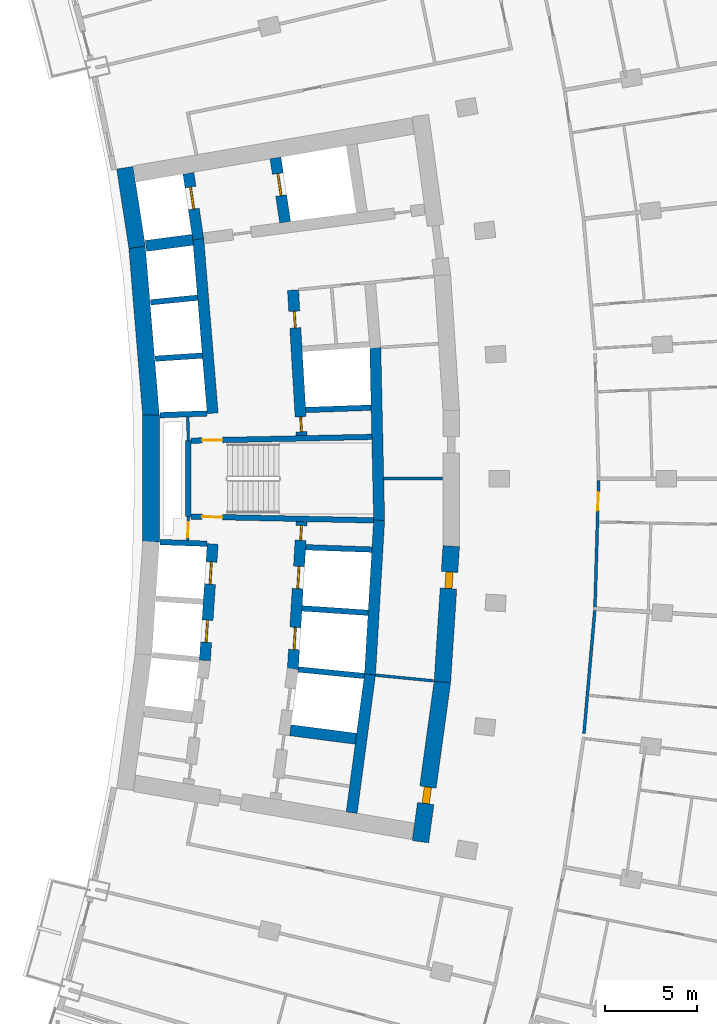
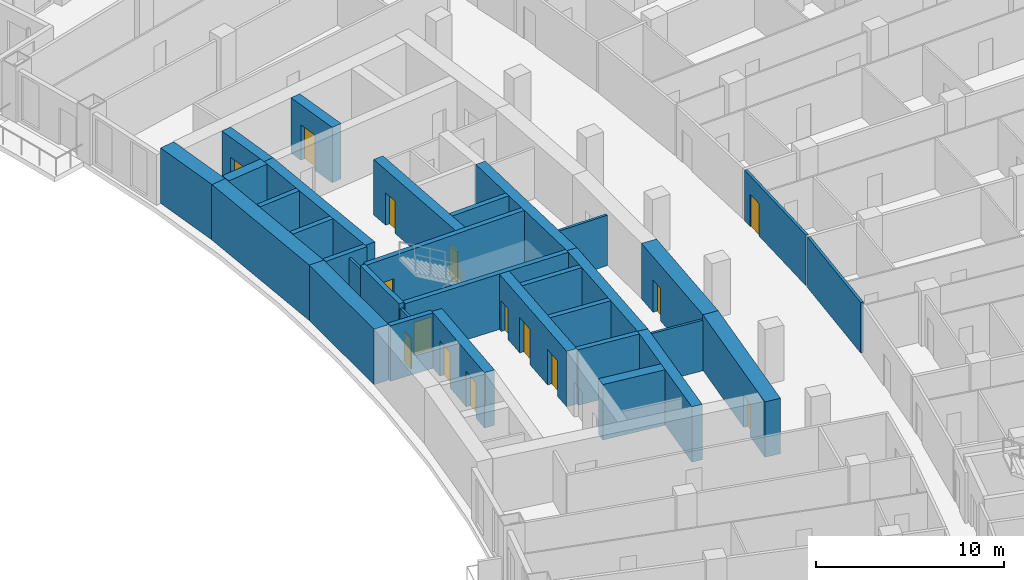
# One storey, part 16 of 25: 33 walls, 15 doors, 15 openings.
"""IFC4 building model written with IfcOpenShell, lengths in metres."""

from ifc_helpers import new_model, si_unit, direction, frame, frame_2d, origin, place, context, subcontext, project, spatial, rectangle, extrude, material, layer, layer_set, type_object, element, fill, save


model = new_model("IFC4")

# Units and contexts
model_context = context("Model", 3, precision=1e-05, world=origin(), true_north=direction((0.0, 1.0)))
body_context = subcontext(model_context, "Body", "Model", "MODEL_VIEW")
ifc_project = project(units=[si_unit("LENGTHUNIT", "METRE"), si_unit("AREAUNIT", "SQUARE_METRE"), si_unit("VOLUMEUNIT", "CUBIC_METRE"), si_unit("PLANEANGLEUNIT", "RADIAN"), si_unit("MASSUNIT", "GRAM", prefix="KILO")], contexts=[model_context])

# Site, building, storey
site_placement = place(None, origin())
site = spatial("IfcSite", under=ifc_project, at=site_placement, CompositionType="ELEMENT")
building_placement = place(site_placement, origin())
building = spatial("IfcBuilding", under=site, at=building_placement, Name="Alderwake Tower", CompositionType="ELEMENT")
storey_placement = place(building_placement, frame((0.0, 0.0, 46.39990234375)))
storey = spatial("IfcBuildingStorey", under=building, at=storey_placement, Name="L10", CompositionType="ELEMENT", Elevation=46.39990234375)

# Wall, opening, door
ifc_material_1 = material(Name="Gypsum shaft wall system, rated")
ifc_layer_1 = layer(ifc_material_1, 0.14990234375)
ifc_layer_set_1 = layer_set([ifc_layer_1], Name="Core room partition 150")
wall_type_1 = type_object("IfcWallType", Name="Core room partition 150", PredefinedType="PARTITIONING", material=ifc_layer_set_1)
wall_1_placement = place(storey_placement, frame((18.918701171875, 58.94384765625, 0.0), z_axis=(0.0, 0.0, 1.0), x_axis=(-0.027348257573, -0.999625966453, 0.0)))
wall_1 = element("IfcWall", 1, at=wall_1_placement, inside=storey, type_object=wall_type_1, Name="CW/L10/PA+24_-37", PredefinedType="PARTITIONING", context=body_context, shape_type="SweptSolid", body=[
    extrude(rectangle(XDim=1.29443359375, YDim=0.14990234375, at=frame_2d((0.647216796875, 0.0))), origin(), (0.0, 0.0, 1.0), 3.280029296875),
])
opening_1_placement = place(wall_1_placement, frame((0.322998046875, 0.0, 0.0)))
opening_1 = element("IfcOpeningElement", 2, at=opening_1_placement, cuts=wall_1, Name="Opening C004", PredefinedType="OPENING", context=body_context, shape_type="SweptSolid", body=[
    extrude(rectangle(XDim=0.800048828125, YDim=2.0, at=frame_2d((0.39990234375, 1.0))), frame((0.0, 0.0849609375, 0.0), z_axis=(0.0, -1.0, 0.0), x_axis=(1.0, 0.0, 0.0)), (0.0, 0.0, 1.0), 0.169921875),
])
ifc_material_2 = material(Name="Painted steel leaf, rated", Category="steel")
door_type_1 = type_object("IfcDoorType", Name="Riser access door 800", OperationType="SINGLE_SWING_LEFT", PredefinedType="DOOR", material=ifc_material_2)
door_1_placement = place(opening_1_placement, origin())
door_1 = element("IfcDoor", 3, at=door_1_placement, inside=storey, type_object=door_type_1, Name="Riser access door", OperationType="SINGLE_SWING_RIGHT", OverallHeight=2.0, OverallWidth=0.800048828125, PredefinedType="DOOR", context=body_context, shape_type="SweptSolid", body=[
    extrude(rectangle(XDim=0.800048828125, YDim=2.0, at=frame_2d((0.39990234375, 1.0))), frame((0.0, 0.02490234375, 0.0), z_axis=(0.0, -1.0, 0.0), x_axis=(1.0, 0.0, 0.0)), (0.0, 0.0, 1.0), 0.050048828125),
])
fill(opening_1, door_1)

# Walls
wall_2_placement = place(storey_placement, frame((18.918701171875, 63.05517578125, 0.0), z_axis=(0.0, 0.0, 1.0), x_axis=(-0.027327648352, 0.999626530078, 0.0)))
element("IfcWall", 4, at=wall_2_placement, inside=storey, type_object=wall_type_1, Name="CW/L10/PA+24_+22", PredefinedType="PARTITIONING", context=body_context, shape_type="SweptSolid", body=[
    extrude(rectangle(XDim=1.29541015625, YDim=0.14990234375, at=frame_2d((0.647705078125, 0.0))), origin(), (0.0, 0.0, 1.0), 3.280029296875),
])
wall_3_placement = place(storey_placement, frame((29.0791015625, 50.326416015625, 0.0), z_axis=(0.0, 0.0, 1.0), x_axis=(0.995249181795, -0.097360495766, 0.0)))
element("IfcWall", 5, at=wall_3_placement, inside=storey, type_object=wall_type_1, Name="CW/L10/PR-102_+128", PredefinedType="PARTITIONING", context=body_context, shape_type="SweptSolid", body=[
    extrude(rectangle(XDim=3.169677734375, YDim=0.14990234375, at=frame_2d((1.5849609375, 0.0))), origin(), (0.0, 0.0, 1.0), 3.280029296875),
])
wall_4_placement = place(storey_placement, frame((29.526123046875, 61.0, 0.0), z_axis=(0.0, 0.0, 1.0), x_axis=(1.0, 0.0, 0.0)))
element("IfcWall", 6, at=wall_4_placement, inside=storey, type_object=wall_type_1, Name="CW/L10/PR+0_+128", PredefinedType="PARTITIONING", context=body_context, shape_type="SweptSolid", body=[
    extrude(rectangle(XDim=3.18408203125, YDim=0.14990234375, at=frame_2d((1.592041015625, 0.0))), origin(), (0.0, 0.0, 1.0), 3.280029296875),
])
ifc_material_3 = material(Name="Concrete C70/85", Category="concrete")
ifc_layer_2 = layer(ifc_material_3, 0.89990234375)
ifc_layer_set_2 = layer_set([ifc_layer_2], Name="Core wall outer 900 C70-85")
wall_type_2 = type_object("IfcWallType", Name="Core wall outer 900 C70-85", PredefinedType="SHEAR", material=ifc_layer_set_2)
wall_5_placement = place(storey_placement, frame((16.889404296875, 57.5546875, 0.0), z_axis=(0.0, 0.0, 1.0), x_axis=(0.0, 1.0, 0.0)))
element("IfcWall", 7, at=wall_5_placement, inside=storey, type_object=wall_type_2, Name="Core wall CW.043", PredefinedType="SHEAR", context=body_context, shape_type="SweptSolid", body=[
    extrude(rectangle(XDim=6.89404296875, YDim=0.89990234375, at=frame_2d((3.447021484375, 0.0))), origin(), (0.0, 0.0, 1.0), 3.60009765625),
])
wall_6_placement = place(storey_placement, frame((16.890869140625, 64.41064453125, 0.0), z_axis=(0.0, 0.0, 1.0), x_axis=(-0.082624275373, 0.996580768989, 0.0)))
element("IfcWall", 8, at=wall_6_placement, inside=storey, type_object=wall_type_2, Name="Core wall CW.040", PredefinedType="SHEAR", context=body_context, shape_type="SweptSolid", body=[
    extrude(rectangle(XDim=9.210205078125, YDim=0.89990234375, at=frame_2d((4.60498046875, 0.0))), origin(), (0.0, 0.0, 1.0), 3.60009765625),
])
wall_7_placement = place(storey_placement, frame((16.1337890625, 73.557373046875, 0.0), z_axis=(0.0, 0.0, 1.0), x_axis=(-0.151956504286, 0.988387181627, 0.0)))
element("IfcWall", 9, at=wall_7_placement, inside=storey, type_object=wall_type_2, Name="Core wall CW.039", PredefinedType="SHEAR", context=body_context, shape_type="SweptSolid", body=[
    extrude(rectangle(XDim=4.373291015625, YDim=0.89990234375, at=frame_2d((2.1865234375, 0.0))), origin(), (0.0, 0.0, 1.0), 3.60009765625),
])

# Wall, opening, door
wall_8_placement = place(storey_placement, frame((32.7138671875, 49.9873046875, 0.0), z_axis=(0.0, 0.0, 1.0), x_axis=(-0.135844728876, -0.990730139663, 0.0)))
wall_8 = element("IfcWall", 10, at=wall_8_placement, inside=storey, type_object=wall_type_2, Name="Core wall CW.012", PredefinedType="SHEAR", context=body_context, shape_type="SweptSolid", body=[
    extrude(rectangle(XDim=8.78662109375, YDim=0.89990234375, at=frame_2d((4.393310546875, 0.0))), origin(), (0.0, 0.0, 1.0), 3.60009765625),
])
opening_2_placement = place(wall_8_placement, frame((5.79248046875, 0.0, 0.0)))
opening_2 = element("IfcOpeningElement", 11, at=opening_2_placement, cuts=wall_8, Name="Opening C060", PredefinedType="OPENING", context=body_context, shape_type="SweptSolid", body=[
    extrude(rectangle(XDim=0.89990234375, YDim=2.10009765625, at=frame_2d((0.449951171875, 1.050048828125))), frame((0.0, 0.4599609375, 0.0), z_axis=(0.0, -1.0, 0.0), x_axis=(1.0, 0.0, 0.0)), (0.0, 0.0, 1.0), 0.919921875),
])
ifc_material_4 = material(Name="Painted steel leaf", Category="steel")
door_type_2 = type_object("IfcDoorType", Name="Core room door 900", OperationType="SINGLE_SWING_LEFT", PredefinedType="DOOR", material=ifc_material_4)
door_2_placement = place(opening_2_placement, origin())
door_2 = element("IfcDoor", 12, at=door_2_placement, inside=storey, type_object=door_type_2, Name="Room door", OperationType="SINGLE_SWING_LEFT", OverallHeight=2.10009765625, OverallWidth=0.89990234375, PredefinedType="DOOR", context=body_context, shape_type="SweptSolid", body=[
    extrude(rectangle(XDim=0.89990234375, YDim=2.10009765625, at=frame_2d((0.449951171875, 1.050048828125))), frame((0.0, 0.199951171875, 0.0), z_axis=(0.0, -1.0, 0.0), x_axis=(1.0, 0.0, 0.0)), (0.0, 0.0, 1.0), 0.39990234375),
])
fill(opening_2, door_2)

wall_9_placement = place(storey_placement, frame((33.191162109375, 57.33349609375, 0.0), z_axis=(0.0, 0.0, 1.0), x_axis=(-0.064976219143, -0.997886812693, 0.0)))
wall_9 = element("IfcWall", 13, at=wall_9_placement, inside=storey, type_object=wall_type_2, Name="Core wall CW.011", PredefinedType="SHEAR", context=body_context, shape_type="SweptSolid", body=[
    extrude(rectangle(XDim=7.39453125, YDim=0.89990234375, at=frame_2d((3.697265625, 0.0))), origin(), (0.0, 0.0, 1.0), 3.60009765625),
])
opening_3_placement = place(wall_9_placement, frame((1.405517578125, 0.0, 0.0)))
opening_3 = element("IfcOpeningElement", 14, at=opening_3_placement, cuts=wall_9, Name="Opening C025", PredefinedType="OPENING", context=body_context, shape_type="SweptSolid", body=[
    extrude(rectangle(XDim=0.89990234375, YDim=2.10009765625, at=frame_2d((0.449951171875, 1.050048828125))), frame((0.0, 0.4599609375, 0.0), z_axis=(0.0, -1.0, 0.0), x_axis=(1.0, 0.0, 0.0)), (0.0, 0.0, 1.0), 0.919921875),
])
door_3_placement = place(opening_3_placement, origin())
door_3 = element("IfcDoor", 15, at=door_3_placement, inside=storey, type_object=door_type_2, Name="Room door", OperationType="SINGLE_SWING_RIGHT", OverallHeight=2.10009765625, OverallWidth=0.89990234375, PredefinedType="DOOR", context=body_context, shape_type="SweptSolid", body=[
    extrude(rectangle(XDim=0.89990234375, YDim=2.10009765625, at=frame_2d((0.449951171875, 1.050048828125))), frame((0.0, 0.199951171875, 0.0), z_axis=(0.0, -1.0, 0.0), x_axis=(1.0, 0.0, 0.0)), (0.0, 0.0, 1.0), 0.39990234375),
])
fill(opening_3, door_3)

# Walls
ifc_material_5 = material(Name="Concrete C70/85", Category="concrete")
ifc_layer_3 = layer(ifc_material_5, 0.300048828125)
ifc_layer_set_3 = layer_set([ifc_layer_3], Name="Core wall shaft 300 C70-85")
wall_type_3 = type_object("IfcWallType", Name="Core wall shaft 300 C70-85", PredefinedType="SHEAR", material=ifc_layer_set_3)
wall_10_placement = place(storey_placement, frame((24.889404296875, 50.635009765625, 0.0), z_axis=(0.0, 0.0, 1.0), x_axis=(0.995156121494, -0.098307140396, 0.0)))
element("IfcWall", 16, at=wall_10_placement, inside=storey, type_object=wall_type_3, Name="Core wall CW.066", PredefinedType="SHEAR", context=body_context, shape_type="SweptSolid", body=[
    extrude(rectangle(XDim=3.595947265625, YDim=0.300048828125, at=frame_2d((1.7978515625, 0.0))), origin(), (0.0, 0.0, 1.0), 3.60009765625),
])
wall_11_placement = place(storey_placement, frame((25.090087890625, 53.954833984375, 0.0), z_axis=(0.0, 0.0, 1.0), x_axis=(0.997758045734, -0.066924451231, 0.0)))
element("IfcWall", 17, at=wall_11_placement, inside=storey, type_object=wall_type_3, Name="Core wall CW.080", PredefinedType="SHEAR", context=body_context, shape_type="SweptSolid", body=[
    extrude(rectangle(XDim=3.596923828125, YDim=0.300048828125, at=frame_2d((1.79833984375, 0.0))), origin(), (0.0, 0.0, 1.0), 3.60009765625),
])
wall_12_placement = place(storey_placement, frame((17.369140625, 57.553466796875, 0.0), z_axis=(0.0, 0.0, 1.0), x_axis=(0.99937189907, -0.035437372217, 0.0)))
element("IfcWall", 18, at=wall_12_placement, inside=storey, type_object=wall_type_3, Name="Core wall CW.076", PredefinedType="SHEAR", context=body_context, shape_type="SweptSolid", body=[
    extrude(rectangle(XDim=2.56982421875, YDim=0.300048828125, at=frame_2d((1.284912109375, 0.0))), origin(), (0.0, 0.0, 1.0), 3.60009765625),
])
wall_13_placement = place(storey_placement, frame((25.29052734375, 57.27294921875, 0.0), z_axis=(0.0, 0.0, 1.0), x_axis=(0.99937585491, -0.035325636908, 0.0)))
element("IfcWall", 19, at=wall_13_placement, inside=storey, type_object=wall_type_3, Name="Core wall CW.077", PredefinedType="SHEAR", context=body_context, shape_type="SweptSolid", body=[
    extrude(rectangle(XDim=3.59375, YDim=0.300048828125, at=frame_2d((1.796875, 0.0))), origin(), (0.0, 0.0, 1.0), 3.60009765625),
])
wall_14_placement = place(storey_placement, frame((17.369384765625, 64.446533203125, 0.0), z_axis=(0.0, 0.0, 1.0), x_axis=(0.999371660382, 0.035444102817, 0.0)))
element("IfcWall", 20, at=wall_14_placement, inside=storey, type_object=wall_type_3, Name="Core wall CW.059", PredefinedType="SHEAR", context=body_context, shape_type="SweptSolid", body=[
    extrude(rectangle(XDim=2.5693359375, YDim=0.300048828125, at=frame_2d((1.28466796875, 0.0))), origin(), (0.0, 0.0, 1.0), 3.60009765625),
])
wall_15_placement = place(storey_placement, frame((25.291259765625, 64.72705078125, 0.0), z_axis=(0.0, 0.0, 1.0), x_axis=(0.999373231824, 0.035399767136, 0.0)))
element("IfcWall", 21, at=wall_15_placement, inside=storey, type_object=wall_type_3, Name="Core wall CW.060", PredefinedType="SHEAR", context=body_context, shape_type="SweptSolid", body=[
    extrude(rectangle(XDim=3.5517578125, YDim=0.300048828125, at=frame_2d((1.77587890625, 0.0))), origin(), (0.0, 0.0, 1.0), 3.60009765625),
])
for number, where, z_axis, x_axis, name in (
    (22, (17.115478515625, 67.510498046875, 0.0), (0.0, 0.0, 1.0), (0.99775517309, 0.06696726493, 0.0), "Core wall CW.062"),
    (23, (16.86181640625, 70.571533203125, 0.0), (0.0, 0.0, 1.0), (0.995151424955, 0.098354671516, 0.0), "Core wall CW.050"),
):
    element("IfcWall", number, at=place(storey_placement, frame(where, z_axis=z_axis, x_axis=x_axis)), inside=storey, type_object=wall_type_3, Name=name, PredefinedType="SHEAR", context=body_context, shape_type="SweptSolid", body=[
        extrude(rectangle(XDim=2.566650390625, YDim=0.300048828125, at=frame_2d((1.283203125, 0.0))), origin(), (0.0, 0.0, 1.0), 3.60009765625),
    ])

# Wall, openings, doors
ifc_material_6 = material(Name="Concrete C70/85", Category="concrete")
ifc_layer_4 = layer(ifc_material_6, 0.60009765625)
ifc_layer_set_4 = layer_set([ifc_layer_4], Name="Core wall spine 600 C70-85")
wall_type_4 = type_object("IfcWallType", Name="Core wall spine 600 C70-85", PredefinedType="SHEAR", material=ifc_layer_set_4)
wall_16_placement = place(storey_placement, frame((19.813232421875, 51.12646484375, 0.0), z_axis=(0.0, 0.0, 1.0), x_axis=(0.066892179723, 0.997760209816, 0.0)))
wall_16 = element("IfcWall", 24, at=wall_16_placement, inside=storey, type_object=wall_type_4, Name="Core wall CW.032", PredefinedType="SHEAR", context=body_context, shape_type="SweptSolid", body=[
    extrude(rectangle(XDim=6.339599609375, YDim=0.60009765625, at=frame_2d((3.169921875, 0.0))), origin(), (0.0, 0.0, 1.0), 3.60009765625),
])
opening_4_placement = place(wall_16_placement, frame((0.992431640625, 0.0, 0.0)))
opening_4 = element("IfcOpeningElement", 25, at=opening_4_placement, cuts=wall_16, Name="Opening LD-LP2", PredefinedType="OPENING", context=body_context, shape_type="SweptSolid", body=[
    extrude(rectangle(XDim=1.199951171875, YDim=2.300048828125, at=frame_2d((0.60009765625, 1.14990234375))), frame((0.0, 0.31005859375, 0.0), z_axis=(0.0, -1.0, 0.0), x_axis=(1.0, 0.0, 0.0)), (0.0, 0.0, 1.0), 0.6201171875),
])
opening_5_placement = place(wall_16_placement, frame((4.157470703125, 0.0, 0.0)))
opening_5 = element("IfcOpeningElement", 26, at=opening_5_placement, cuts=wall_16, Name="Opening LD-LP3", PredefinedType="OPENING", context=body_context, shape_type="SweptSolid", body=[
    extrude(rectangle(XDim=1.199951171875, YDim=2.300048828125, at=frame_2d((0.60009765625, 1.14990234375))), frame((0.0, 0.31005859375, 0.0), z_axis=(0.0, -1.0, 0.0), x_axis=(1.0, 0.0, 0.0)), (0.0, 0.0, 1.0), 0.6201171875),
])
ifc_material_7 = material(Name="Stainless steel sliding leaf", Category="steel")
door_type_3 = type_object("IfcDoorType", Name="Lift landing door 1200", OperationType="SLIDING_TO_LEFT", PredefinedType="DOOR", material=ifc_material_7)
door_4_placement = place(opening_4_placement, origin())
door_4 = element("IfcDoor", 27, at=door_4_placement, inside=storey, type_object=door_type_3, Name="Lift landing door LP2", OperationType="SLIDING_TO_LEFT", OverallHeight=2.300048828125, OverallWidth=1.199951171875, PredefinedType="DOOR", context=body_context, shape_type="SweptSolid", body=[
    extrude(rectangle(XDim=1.199951171875, YDim=2.300048828125, at=frame_2d((0.60009765625, 1.14990234375))), frame((0.0, 0.050048828125, 0.0), z_axis=(0.0, -1.0, 0.0), x_axis=(1.0, 0.0, 0.0)), (0.0, 0.0, 1.0), 0.10009765625),
])
fill(opening_4, door_4)
door_5_placement = place(opening_5_placement, origin())
door_5 = element("IfcDoor", 28, at=door_5_placement, inside=storey, type_object=door_type_3, Name="Lift landing door LP3", OperationType="SLIDING_TO_LEFT", OverallHeight=2.300048828125, OverallWidth=1.199951171875, PredefinedType="DOOR", context=body_context, shape_type="SweptSolid", body=[
    extrude(rectangle(XDim=1.199951171875, YDim=2.300048828125, at=frame_2d((0.60009765625, 1.14990234375))), frame((0.0, 0.050048828125, 0.0), z_axis=(0.0, -1.0, 0.0), x_axis=(1.0, 0.0, 0.0)), (0.0, 0.0, 1.0), 0.10009765625),
])
fill(opening_5, door_5)

# Wall
wall_17_placement = place(storey_placement, frame((20.2373046875, 64.548095703125, 0.0), z_axis=(0.0, 0.0, 1.0), x_axis=(-0.082626598613, 0.996580576372, 0.0)))
element("IfcWall", 29, at=wall_17_placement, inside=storey, type_object=wall_type_4, Name="Core wall CW.031", PredefinedType="SHEAR", context=body_context, shape_type="SweptSolid", body=[
    extrude(rectangle(XDim=9.50244140625, YDim=0.60009765625, at=frame_2d((4.751220703125, 0.0))), origin(), (0.0, 0.0, 1.0), 3.60009765625),
])

# Wall, opening, door
wall_18_placement = place(storey_placement, frame((19.45458984375, 73.99755859375, 0.0), z_axis=(0.0, 0.0, 1.0), x_axis=(-0.147502312715, 0.989061710786, 0.0)))
wall_18 = element("IfcWall", 30, at=wall_18_placement, inside=storey, type_object=wall_type_4, Name="Core wall CW.030", PredefinedType="SHEAR", context=body_context, shape_type="SweptSolid", body=[
    extrude(rectangle(XDim=3.6181640625, YDim=0.60009765625, at=frame_2d((1.80908203125, 0.0))), origin(), (0.0, 0.0, 1.0), 3.60009765625),
])
opening_6_placement = place(wall_18_placement, frame((1.664306640625, 0.0, 0.0)))
opening_6 = element("IfcOpeningElement", 31, at=opening_6_placement, cuts=wall_18, Name="Opening LD-FF1", PredefinedType="OPENING", context=body_context, shape_type="SweptSolid", body=[
    extrude(rectangle(XDim=1.199951171875, YDim=2.300048828125, at=frame_2d((0.60009765625, 1.14990234375))), frame((0.0, 0.31005859375, 0.0), z_axis=(0.0, -1.0, 0.0), x_axis=(1.0, 0.0, 0.0)), (0.0, 0.0, 1.0), 0.6201171875),
])
door_6_placement = place(opening_6_placement, origin())
door_6 = element("IfcDoor", 32, at=door_6_placement, inside=storey, type_object=door_type_3, Name="Lift landing door FF1", OperationType="SLIDING_TO_LEFT", OverallHeight=2.300048828125, OverallWidth=1.199951171875, PredefinedType="DOOR", context=body_context, shape_type="SweptSolid", body=[
    extrude(rectangle(XDim=1.199951171875, YDim=2.300048828125, at=frame_2d((0.60009765625, 1.14990234375))), frame((0.0, 0.050048828125, 0.0), z_axis=(0.0, -1.0, 0.0), x_axis=(1.0, 0.0, 0.0)), (0.0, 0.0, 1.0), 0.10009765625),
])
fill(opening_6, door_6)

# Wall, openings, doors
wall_19_placement = place(storey_placement, frame((24.58984375, 50.6533203125, 0.0), z_axis=(0.0, 0.0, 1.0), x_axis=(0.060323309079, 0.998178890972, 0.0)))
wall_19 = element("IfcWall", 33, at=wall_19_placement, inside=storey, type_object=wall_type_4, Name="Core wall CW.046", PredefinedType="SHEAR", context=body_context, shape_type="SweptSolid", body=[
    extrude(rectangle(XDim=8.025634765625, YDim=0.60009765625, at=frame_2d((4.0126953125, 0.0))), origin(), (0.0, 0.0, 1.0), 3.60009765625),
])
opening_7_placement = place(wall_19_placement, frame((1.06884765625, 0.0, 0.0)))
opening_7 = element("IfcOpeningElement", 34, at=opening_7_placement, cuts=wall_19, Name="Opening LD-LP5", PredefinedType="OPENING", context=body_context, shape_type="SweptSolid", body=[
    extrude(rectangle(XDim=1.199951171875, YDim=2.300048828125, at=frame_2d((0.60009765625, 1.14990234375))), frame((0.0, 0.31005859375, 0.0), z_axis=(0.0, -1.0, 0.0), x_axis=(1.0, 0.0, 0.0)), (0.0, 0.0, 1.0), 0.6201171875),
])
opening_8_placement = place(wall_19_placement, frame((4.38525390625, 0.0, 0.0)))
opening_8 = element("IfcOpeningElement", 35, at=opening_8_placement, cuts=wall_19, Name="Opening LD-LP6", PredefinedType="OPENING", context=body_context, shape_type="SweptSolid", body=[
    extrude(rectangle(XDim=1.199951171875, YDim=2.300048828125, at=frame_2d((0.60009765625, 1.14990234375))), frame((0.0, 0.31005859375, 0.0), z_axis=(0.0, -1.0, 0.0), x_axis=(1.0, 0.0, 0.0)), (0.0, 0.0, 1.0), 0.6201171875),
])
opening_9_placement = place(wall_19_placement, frame((7.009521484375, 0.0, 0.0)))
opening_9 = element("IfcOpeningElement", 36, at=opening_9_placement, cuts=wall_19, Name="Opening C006", PredefinedType="OPENING", context=body_context, shape_type="SweptSolid", body=[
    extrude(rectangle(XDim=0.800048828125, YDim=2.0, at=frame_2d((0.39990234375, 1.0))), frame((0.0, 0.31005859375, 0.0), z_axis=(0.0, -1.0, 0.0), x_axis=(1.0, 0.0, 0.0)), (0.0, 0.0, 1.0), 0.6201171875),
])
door_7_placement = place(opening_7_placement, origin())
door_7 = element("IfcDoor", 37, at=door_7_placement, inside=storey, type_object=door_type_3, Name="Lift landing door LP5", OperationType="SLIDING_TO_LEFT", OverallHeight=2.300048828125, OverallWidth=1.199951171875, PredefinedType="DOOR", context=body_context, shape_type="SweptSolid", body=[
    extrude(rectangle(XDim=1.199951171875, YDim=2.300048828125, at=frame_2d((0.60009765625, 1.14990234375))), frame((0.0, 0.050048828125, 0.0), z_axis=(0.0, -1.0, 0.0), x_axis=(1.0, 0.0, 0.0)), (0.0, 0.0, 1.0), 0.10009765625),
])
fill(opening_7, door_7)
door_8_placement = place(opening_8_placement, origin())
door_8 = element("IfcDoor", 38, at=door_8_placement, inside=storey, type_object=door_type_3, Name="Lift landing door LP6", OperationType="SLIDING_TO_LEFT", OverallHeight=2.300048828125, OverallWidth=1.199951171875, PredefinedType="DOOR", context=body_context, shape_type="SweptSolid", body=[
    extrude(rectangle(XDim=1.199951171875, YDim=2.300048828125, at=frame_2d((0.60009765625, 1.14990234375))), frame((0.0, 0.050048828125, 0.0), z_axis=(0.0, -1.0, 0.0), x_axis=(1.0, 0.0, 0.0)), (0.0, 0.0, 1.0), 0.10009765625),
])
fill(opening_8, door_8)
door_9_placement = place(opening_9_placement, origin())
door_9 = element("IfcDoor", 39, at=door_9_placement, inside=storey, type_object=door_type_1, Name="Riser access door", OperationType="SINGLE_SWING_RIGHT", OverallHeight=2.0, OverallWidth=0.800048828125, PredefinedType="DOOR", context=body_context, shape_type="SweptSolid", body=[
    extrude(rectangle(XDim=0.800048828125, YDim=2.0, at=frame_2d((0.39990234375, 1.0))), frame((0.0, 0.050048828125, 0.0), z_axis=(0.0, -1.0, 0.0), x_axis=(1.0, 0.0, 0.0)), (0.0, 0.0, 1.0), 0.10009765625),
])
fill(opening_9, door_9)

wall_20_placement = place(storey_placement, frame((25.073974609375, 63.335693359375, 0.0), z_axis=(0.0, 0.0, 1.0), x_axis=(-0.059848641072, 0.998207463487, 0.0)))
wall_20 = element("IfcWall", 40, at=wall_20_placement, inside=storey, type_object=wall_type_4, Name="Core wall CW.045", PredefinedType="SHEAR", context=body_context, shape_type="SweptSolid", body=[
    extrude(rectangle(XDim=7.913818359375, YDim=0.60009765625, at=frame_2d((3.95703125, 0.0))), origin(), (0.0, 0.0, 1.0), 3.60009765625),
])
opening_10_placement = place(wall_20_placement, frame((0.216064453125, 0.0, 0.0)))
opening_10 = element("IfcOpeningElement", 41, at=opening_10_placement, cuts=wall_20, Name="Opening C005", PredefinedType="OPENING", context=body_context, shape_type="SweptSolid", body=[
    extrude(rectangle(XDim=0.800048828125, YDim=2.0, at=frame_2d((0.39990234375, 1.0))), frame((0.0, 0.31005859375, 0.0), z_axis=(0.0, -1.0, 0.0), x_axis=(1.0, 0.0, 0.0)), (0.0, 0.0, 1.0), 0.6201171875),
])
opening_11_placement = place(wall_20_placement, frame((5.856201171875, 0.0, 0.0)))
opening_11 = element("IfcOpeningElement", 42, at=opening_11_placement, cuts=wall_20, Name="Opening C024", PredefinedType="OPENING", context=body_context, shape_type="SweptSolid", body=[
    extrude(rectangle(XDim=0.89990234375, YDim=2.10009765625, at=frame_2d((0.449951171875, 1.050048828125))), frame((0.0, 0.31005859375, 0.0), z_axis=(0.0, -1.0, 0.0), x_axis=(1.0, 0.0, 0.0)), (0.0, 0.0, 1.0), 0.6201171875),
])
door_10_placement = place(opening_11_placement, origin())
door_10 = element("IfcDoor", 43, at=door_10_placement, inside=storey, type_object=door_type_2, Name="Room door", OperationType="SINGLE_SWING_LEFT", OverallHeight=2.10009765625, OverallWidth=0.89990234375, PredefinedType="DOOR", context=body_context, shape_type="SweptSolid", body=[
    extrude(rectangle(XDim=0.89990234375, YDim=2.10009765625, at=frame_2d((0.449951171875, 1.050048828125))), frame((0.0, 0.050048828125, 0.0), z_axis=(0.0, -1.0, 0.0), x_axis=(1.0, 0.0, 0.0)), (0.0, 0.0, 1.0), 0.10009765625),
])
fill(opening_11, door_10)
door_11_placement = place(opening_10_placement, origin())
door_11 = element("IfcDoor", 44, at=door_11_placement, inside=storey, type_object=door_type_1, Name="Riser access door", OperationType="SINGLE_SWING_LEFT", OverallHeight=2.0, OverallWidth=0.800048828125, PredefinedType="DOOR", context=body_context, shape_type="SweptSolid", body=[
    extrude(rectangle(XDim=0.800048828125, YDim=2.0, at=frame_2d((0.39990234375, 1.0))), frame((0.0, 0.050048828125, 0.0), z_axis=(0.0, -1.0, 0.0), x_axis=(1.0, 0.0, 0.0)), (0.0, 0.0, 1.0), 0.10009765625),
])
fill(opening_10, door_11)

# Wall, opening, door
wall_21_placement = place(storey_placement, frame((24.173095703125, 74.927734375, 0.0), z_axis=(0.0, 0.0, 1.0), x_axis=(-0.14910953086, 0.988820685365, 0.0)))
wall_21 = element("IfcWall", 45, at=wall_21_placement, inside=storey, type_object=wall_type_4, Name="Core wall CW.044", PredefinedType="SHEAR", context=body_context, shape_type="SweptSolid", body=[
    extrude(rectangle(XDim=3.5234375, YDim=0.60009765625, at=frame_2d((1.76171875, 0.0))), origin(), (0.0, 0.0, 1.0), 3.60009765625),
])
opening_12_placement = place(wall_21_placement, frame((1.4619140625, 0.0, 0.0)))
opening_12 = element("IfcOpeningElement", 46, at=opening_12_placement, cuts=wall_21, Name="Opening LD-FF2", PredefinedType="OPENING", context=body_context, shape_type="SweptSolid", body=[
    extrude(rectangle(XDim=1.199951171875, YDim=2.300048828125, at=frame_2d((0.60009765625, 1.14990234375))), frame((0.0, 0.31005859375, 0.0), z_axis=(0.0, -1.0, 0.0), x_axis=(1.0, 0.0, 0.0)), (0.0, 0.0, 1.0), 0.6201171875),
])
door_12_placement = place(opening_12_placement, origin())
door_12 = element("IfcDoor", 47, at=door_12_placement, inside=storey, type_object=door_type_3, Name="Lift landing door FF2", OperationType="SLIDING_TO_LEFT", OverallHeight=2.300048828125, OverallWidth=1.199951171875, PredefinedType="DOOR", context=body_context, shape_type="SweptSolid", body=[
    extrude(rectangle(XDim=1.199951171875, YDim=2.300048828125, at=frame_2d((0.60009765625, 1.14990234375))), frame((0.0, 0.050048828125, 0.0), z_axis=(0.0, -1.0, 0.0), x_axis=(1.0, 0.0, 0.0)), (0.0, 0.0, 1.0), 0.10009765625),
])
fill(opening_12, door_12)

# Walls
wall_22_placement = place(storey_placement, frame((27.78369140625, 42.85693359375, 0.0), z_axis=(0.0, 0.0, 1.0), x_axis=(0.131768985664, 0.991280451949, 0.0)))
element("IfcWall", 48, at=wall_22_placement, inside=storey, type_object=wall_type_4, Name="Core wall CW.006", PredefinedType="SHEAR", context=body_context, shape_type="SweptSolid", body=[
    extrude(rectangle(XDim=7.576171875, YDim=0.60009765625, at=frame_2d((3.7880859375, 0.0))), origin(), (0.0, 0.0, 1.0), 3.60009765625),
])
wall_23_placement = place(storey_placement, frame((28.77978515625, 50.34423828125, 0.0), z_axis=(0.0, 0.0, 1.0), x_axis=(0.059133840665, 0.998250063305, 0.0)))
element("IfcWall", 49, at=wall_23_placement, inside=storey, type_object=wall_type_4, Name="Core wall CW.004", PredefinedType="SHEAR", context=body_context, shape_type="SweptSolid", body=[
    extrude(rectangle(XDim=8.409912109375, YDim=0.60009765625, at=frame_2d((4.205078125, 0.0))), origin(), (0.0, 0.0, 1.0), 3.60009765625),
])
wall_24_placement = place(storey_placement, frame((29.276611328125, 58.714111328125, 0.0), z_axis=(0.0, 0.0, 1.0), x_axis=(-0.022102514973, 0.999755709577, 0.0)))
element("IfcWall", 50, at=wall_24_placement, inside=storey, type_object=wall_type_4, Name="Core wall CW.007", PredefinedType="SHEAR", context=body_context, shape_type="SweptSolid", body=[
    extrude(rectangle(XDim=9.39990234375, YDim=0.60009765625, at=frame_2d((4.699951171875, 0.0))), origin(), (0.0, 0.0, 1.0), 3.60009765625),
])
wall_25_placement = place(storey_placement, frame((24.4501953125, 47.338623046875, 0.0), z_axis=(0.0, 0.0, 1.0), x_axis=(0.99155225032, -0.129707882892, 0.0)))
element("IfcWall", 51, at=wall_25_placement, inside=storey, type_object=wall_type_4, Name="Core wall CW.069", PredefinedType="SHEAR", context=body_context, shape_type="SweptSolid", body=[
    extrude(rectangle(XDim=3.594970703125, YDim=0.60009765625, at=frame_2d((1.79736328125, 0.0))), origin(), (0.0, 0.0, 1.0), 3.60009765625),
])
wall_26_placement = place(storey_placement, frame((16.607666015625, 73.635498046875, 0.0), z_axis=(0.0, 0.0, 1.0), x_axis=(0.991551057449, 0.129717001478, 0.0)))
element("IfcWall", 52, at=wall_26_placement, inside=storey, type_object=wall_type_4, Name="Core wall CW.051", PredefinedType="SHEAR", context=body_context, shape_type="SweptSolid", body=[
    extrude(rectangle(XDim=2.569091796875, YDim=0.60009765625, at=frame_2d((1.28466796875, 0.0))), origin(), (0.0, 0.0, 1.0), 3.60009765625),
])
ifc_material_8 = material(Name="Concrete C70/85", Category="concrete")
ifc_layer_5 = layer(ifc_material_8, 0.300048828125)
ifc_layer_set_5 = layer_set([ifc_layer_5], Name="Core wall stair enclosure 300 C70-85")
wall_type_5 = type_object("IfcWallType", Name="Core wall stair enclosure 300 C70-85", PredefinedType="SHEAR", material=ifc_layer_set_5)
wall_27_placement = place(storey_placement, frame((18.918701171875, 58.94091796875, 0.0), z_axis=(0.0, 0.0, 1.0), x_axis=(0.0, 1.0, 0.0)))
element("IfcWall", 53, at=wall_27_placement, inside=storey, type_object=wall_type_5, Name="Core wall CW.024", PredefinedType="SHEAR", context=body_context, shape_type="SweptSolid", body=[
    extrude(rectangle(XDim=4.119384765625, YDim=0.300048828125, at=frame_2d((2.0595703125, 0.0))), origin(), (0.0, 0.0, 1.0), 3.60009765625),
])

# Wall, opening, door
wall_28_placement = place(storey_placement, frame((28.976318359375, 58.733154296875, 0.0), z_axis=(0.0, 0.0, 1.0), x_axis=(-0.999783804252, 0.020792901552, 0.0)))
wall_28 = element("IfcWall", 54, at=wall_28_placement, inside=storey, type_object=wall_type_5, Name="Core wall CW.074", PredefinedType="SHEAR", context=body_context, shape_type="SweptSolid", body=[
    extrude(rectangle(XDim=9.909912109375, YDim=0.300048828125, at=frame_2d((4.955078125, 0.0))), origin(), (0.0, 0.0, 1.0), 3.60009765625),
])
opening_13_placement = place(wall_28_placement, frame((8.209716796875, 0.0, 0.0)))
opening_13 = element("IfcOpeningElement", 55, at=opening_13_placement, cuts=wall_28, Name="Opening C063", PredefinedType="OPENING", context=body_context, shape_type="SweptSolid", body=[
    extrude(rectangle(XDim=1.10009765625, YDim=2.10009765625, at=frame_2d((0.550048828125, 1.050048828125))), frame((0.0, 0.159912109375, 0.0), z_axis=(0.0, -1.0, 0.0), x_axis=(1.0, 0.0, 0.0)), (0.0, 0.0, 1.0), 0.320068359375),
])
ifc_material_9 = material(Name="Steel-framed fire door leaf", Category="steel")
door_type_4 = type_object("IfcDoorType", Name="Core stair door 1100 fire-rated", OperationType="SINGLE_SWING_LEFT", PredefinedType="DOOR", material=ifc_material_9)
door_13_placement = place(opening_13_placement, origin())
door_13 = element("IfcDoor", 56, at=door_13_placement, inside=storey, type_object=door_type_4, Name="Stair door", OperationType="SINGLE_SWING_LEFT", OverallHeight=2.10009765625, OverallWidth=1.10009765625, PredefinedType="DOOR", context=body_context, shape_type="SweptSolid", body=[
    extrude(rectangle(XDim=1.10009765625, YDim=2.10009765625, at=frame_2d((0.550048828125, 1.050048828125))), frame((0.0, 0.02490234375, 0.0), z_axis=(0.0, -1.0, 0.0), x_axis=(1.0, 0.0, 0.0)), (0.0, 0.0, 1.0), 0.050048828125),
])
fill(opening_13, door_13)

wall_29_placement = place(storey_placement, frame((19.068603515625, 63.060791015625, 0.0), z_axis=(0.0, 0.0, 1.0), x_axis=(0.999783520771, 0.020806527678, 0.0)))
wall_29 = element("IfcWall", 57, at=wall_29_placement, inside=storey, type_object=wall_type_5, Name="Core wall CW.057", PredefinedType="SHEAR", context=body_context, shape_type="SweptSolid", body=[
    extrude(rectangle(XDim=9.8095703125, YDim=0.300048828125, at=frame_2d((4.90478515625, 0.0))), origin(), (0.0, 0.0, 1.0), 3.60009765625),
])
opening_14_placement = place(wall_29_placement, frame((0.60009765625, 0.0, 0.0)))
opening_14 = element("IfcOpeningElement", 58, at=opening_14_placement, cuts=wall_29, Name="Opening C064", PredefinedType="OPENING", context=body_context, shape_type="SweptSolid", body=[
    extrude(rectangle(XDim=1.10009765625, YDim=2.10009765625, at=frame_2d((0.550048828125, 1.050048828125))), frame((0.0, 0.159912109375, 0.0), z_axis=(0.0, -1.0, 0.0), x_axis=(1.0, 0.0, 0.0)), (0.0, 0.0, 1.0), 0.320068359375),
])
door_14_placement = place(opening_14_placement, origin())
door_14 = element("IfcDoor", 59, at=door_14_placement, inside=storey, type_object=door_type_4, Name="Stair door", OperationType="SINGLE_SWING_RIGHT", OverallHeight=2.10009765625, OverallWidth=1.10009765625, PredefinedType="DOOR", context=body_context, shape_type="SweptSolid", body=[
    extrude(rectangle(XDim=1.10009765625, YDim=2.10009765625, at=frame_2d((0.550048828125, 1.050048828125))), frame((0.0, 0.02490234375, 0.0), z_axis=(0.0, -1.0, 0.0), x_axis=(1.0, 0.0, 0.0)), (0.0, 0.0, 1.0), 0.050048828125),
])
fill(opening_14, door_14)

# Wall
ifc_material_10 = material(Name="Gypsum board on metal studs, rated")
ifc_layer_6 = layer(ifc_material_10, 0.159912109375)
ifc_layer_set_6 = layer_set([ifc_layer_6], Name="Corridor wall 160")
wall_type_6 = type_object("IfcWallType", Name="Corridor wall 160", PredefinedType="PARTITIONING", material=ifc_layer_set_6)
wall_30_placement = place(storey_placement, frame((40.400390625, 47.15869140625, 0.0), z_axis=(0.0, 0.0, 1.0), x_axis=(0.087437661692, 0.996169993183, 0.0)))
element("IfcWall", 60, at=wall_30_placement, inside=storey, type_object=wall_type_6, Name="WL/L10/W36", PredefinedType="PARTITIONING", context=body_context, shape_type="SweptSolid", body=[
    extrude(rectangle(XDim=6.701171875, YDim=0.159912109375, at=frame_2d((3.3505859375, 0.0))), origin(), (0.0, 0.0, 1.0), 3.280029296875),
])

# Wall, opening, door
wall_31_placement = place(storey_placement, frame((41.196044921875, 60.89892578125, 0.0), z_axis=(0.0, 0.0, 1.0), x_axis=(-0.028865238788, -0.99958331218, 0.0)))
wall_31 = element("IfcWall", 61, at=wall_31_placement, inside=storey, type_object=wall_type_6, Name="WL/L10/W37", PredefinedType="PARTITIONING", context=body_context, shape_type="SweptSolid", body=[
    extrude(rectangle(XDim=6.867919921875, YDim=0.159912109375, at=frame_2d((3.43408203125, 0.0))), origin(), (0.0, 0.0, 1.0), 3.280029296875),
])
opening_15_placement = place(wall_31_placement, frame((0.627685546875, 0.0, 0.0)))
opening_15 = element("IfcOpeningElement", 62, at=opening_15_placement, cuts=wall_31, Name="Opening R02-U07.3", PredefinedType="OPENING", context=body_context, shape_type="SweptSolid", body=[
    extrude(rectangle(XDim=1.0, YDim=2.10009765625, at=frame_2d((0.5, 1.050048828125))), frame((0.0, 0.08984375, 0.0), z_axis=(0.0, -1.0, 0.0), x_axis=(1.0, 0.0, 0.0)), (0.0, 0.0, 1.0), 0.179931640625),
])
ifc_material_11 = material(Name="Solid timber leaf in steel frame", Category="steel")
door_type_5 = type_object("IfcDoorType", Name="Flat entrance door 1000 fire-rated", OperationType="SINGLE_SWING_LEFT", PredefinedType="DOOR", material=ifc_material_11)
door_15_placement = place(opening_15_placement, origin())
door_15 = element("IfcDoor", 63, at=door_15_placement, inside=storey, type_object=door_type_5, Name="DR/L10/U07.3", OperationType="SINGLE_SWING_LEFT", OverallHeight=2.10009765625, OverallWidth=1.0, PredefinedType="DOOR", context=body_context, shape_type="SweptSolid", body=[
    extrude(rectangle(XDim=1.0, YDim=2.10009765625, at=frame_2d((0.5, 1.050048828125))), frame((0.0, 0.02490234375, 0.0), z_axis=(0.0, -1.0, 0.0), x_axis=(1.0, 0.0, 0.0)), (0.0, 0.0, 1.0), 0.050048828125),
])
fill(opening_15, door_15)

save(model, "model.ifc")
